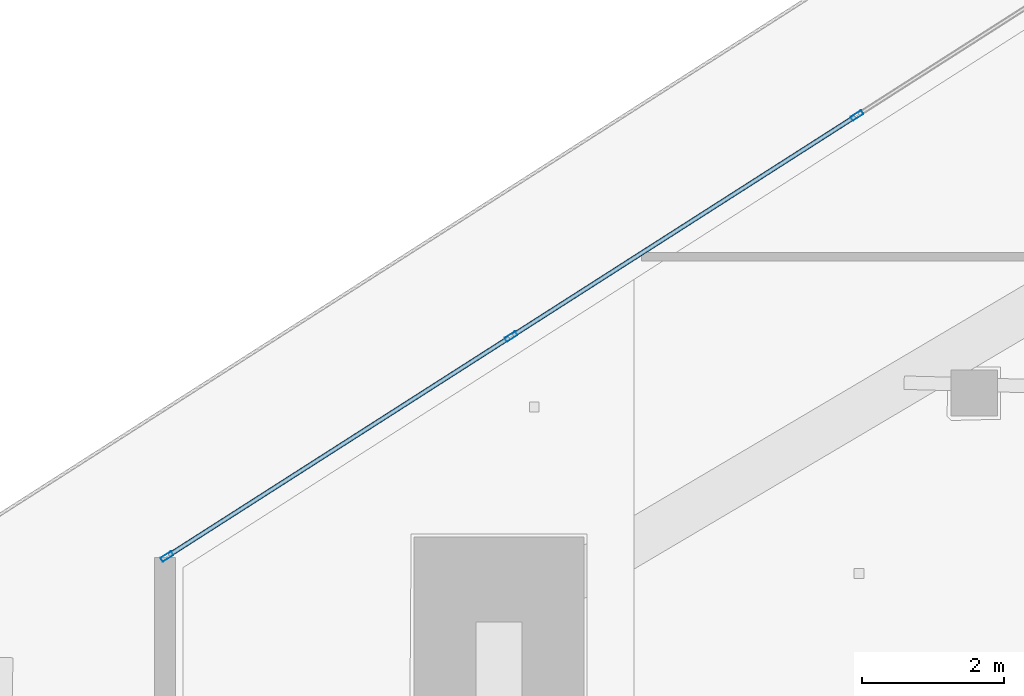
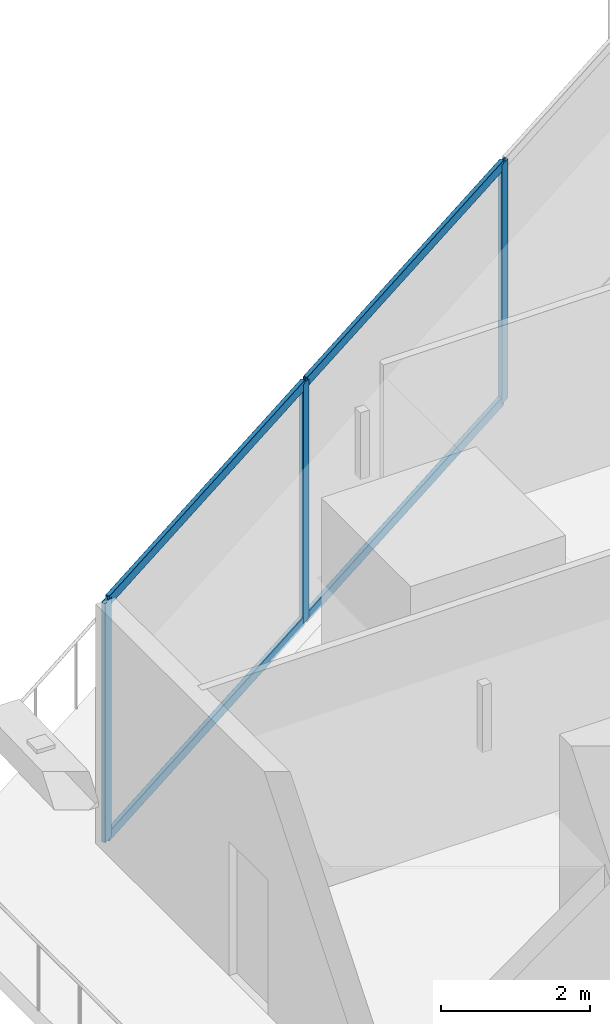
# One storey, part 12 of 44: 7 members, 1 element without a shape of its own.
"""IFC4 building model written with IfcOpenShell, lengths in metres."""

from ifc_helpers import new_model, si_unit, direction, frame, origin, origin_2d, place, context, subcontext, project, spatial, hollow_rectangle, extrude, material, layer, layer_set, material_profile, profile_set, type_object, element, aggregate, save


model = new_model("IFC4")

# Units and contexts
model_context = context("Model", 3, precision=1e-05, world=origin(), true_north=direction((0.0, 1.0)))
body_context = subcontext(model_context, "Body", "Model", "MODEL_VIEW")
ifc_project = project(units=[si_unit("LENGTHUNIT", "METRE"), si_unit("AREAUNIT", "SQUARE_METRE"), si_unit("VOLUMEUNIT", "CUBIC_METRE"), si_unit("PLANEANGLEUNIT", "RADIAN"), si_unit("MASSUNIT", "GRAM", prefix="KILO")], contexts=[model_context])

# Site, building, storey
site_placement = place(None, origin())
site = spatial("IfcSite", under=ifc_project, at=site_placement, CompositionType="ELEMENT")
building_placement = place(site_placement, origin())
building = spatial("IfcBuilding", under=site, at=building_placement, Name="Qorvath Tower", CompositionType="ELEMENT")
storey_placement = place(building_placement, frame((0.0, 0.0, 57.60009765625)))
storey = spatial("IfcBuildingStorey", under=building, at=storey_placement, Name="L12", CompositionType="ELEMENT", Elevation=57.60009765625)

# Curtain wall, members
ifc_material_1 = material(Name="Anodised aluminium and triple low-E glass", Category="aluminium")
ifc_layer = layer(ifc_material_1, 0.179931640625)
ifc_layer_set = layer_set([ifc_layer], Name="CW-SYS-2")
curtain_wall_type = type_object("IfcCurtainWallType", Name="CW-SYS-2", PredefinedType="NOTDEFINED", material=ifc_layer_set)
curtain_wall_placement = place(storey_placement, origin())
curtain_wall = element("IfcCurtainWall", 1, at=curtain_wall_placement, inside=storey, type_object=curtain_wall_type, Name="Curtain Wall CW-2 CW-T-L12-16.3", PredefinedType="NOTDEFINED")
ifc_material_2 = material(Name="Anodised aluminium 6063-T6", Category="aluminium")
ifc_material_profile_1 = material_profile(ifc_material_2, hollow_rectangle(XDim=0.06494140625, YDim=0.179931640625, WallThickness=0.00341796875, InnerFilletRadius=0.00341796875, OuterFilletRadius=0.007080078125, at=origin_2d()), Name="CWM 180x65")
ifc_profile_set_1 = profile_set([ifc_material_profile_1], Name="Anodised aluminium 6063-T6")
member_type_1 = type_object("IfcMemberType", Name="CWM-180", PredefinedType="MULLION", material=ifc_profile_set_1)
member_1_placement = place(storey_placement, frame((-50.233154296875, 10.344482421875, 0.0), z_axis=(0.0, 0.0, 1.0), x_axis=(0.53852960651, -0.842606588458, 0.0)))
member_1 = element("IfcMember", 2, at=member_1_placement, type_object=member_type_1, Name="CW-2 mullion 3", PredefinedType="MULLION", context=body_context, shape_type="SweptSolid", body=[
    extrude(hollow_rectangle(XDim=0.06494140625, YDim=0.179931640625, WallThickness=0.00341796875, InnerFilletRadius=0.00341796875, OuterFilletRadius=0.007080078125, at=origin_2d()), origin(), (0.0, 0.0, 1.0), 3.919921875),
])
member_2_placement = place(storey_placement, frame((-55.11572265625, 7.223876953125, 0.0), z_axis=(0.0, 0.0, 1.0), x_axis=(0.53852960651, -0.842606588458, 0.0)))
member_2 = element("IfcMember", 3, at=member_2_placement, type_object=member_type_1, Name="CW-2 mullion 4", PredefinedType="MULLION", context=body_context, shape_type="SweptSolid", body=[
    extrude(hollow_rectangle(XDim=0.06494140625, YDim=0.179931640625, WallThickness=0.00341796875, InnerFilletRadius=0.00341796875, OuterFilletRadius=0.007080078125, at=origin_2d()), origin(), (0.0, 0.0, 1.0), 3.919921875),
])
member_3_placement = place(storey_placement, frame((-59.970947265625, 4.120849609375, 0.0), z_axis=(0.0, 0.0, 1.0), x_axis=(0.53852960651, -0.842606588458, 0.0)))
member_3 = element("IfcMember", 4, at=member_3_placement, type_object=member_type_1, Name="CW-2 mullion 5", PredefinedType="MULLION", context=body_context, shape_type="SweptSolid", body=[
    extrude(hollow_rectangle(XDim=0.06494140625, YDim=0.179931640625, WallThickness=0.00341796875, InnerFilletRadius=0.00341796875, OuterFilletRadius=0.007080078125, at=origin_2d()), origin(), (0.0, 0.0, 1.0), 3.919921875),
])
ifc_material_3 = material(Name="Anodised aluminium 6063-T6", Category="aluminium")
ifc_material_profile_2 = material_profile(ifc_material_3, hollow_rectangle(XDim=0.06494140625, YDim=0.159912109375, WallThickness=0.00341796875, InnerFilletRadius=0.00341796875, OuterFilletRadius=0.007080078125, at=origin_2d()), Name="CWT 160x65")
ifc_profile_set_2 = profile_set([ifc_material_profile_2], Name="Anodised aluminium 6063-T6")
member_type_2 = type_object("IfcMemberType", Name="CWT-160", PredefinedType="USERDEFINED", material=ifc_profile_set_2)
member_4_placement = place(storey_placement, frame((-50.260498046875, 10.326904296875, 0.032470703125), z_axis=(-0.842619459237, -0.538509467805, 0.0), x_axis=(0.538509467805, -0.842619459237, 0.0)))
member_4 = element("IfcMember", 5, at=member_4_placement, type_object=member_type_2, Name="CW-2 transom 3.1", ObjectType="TRANSOM", PredefinedType="USERDEFINED", context=body_context, shape_type="SweptSolid", body=[
    extrude(hollow_rectangle(XDim=0.06494140625, YDim=0.159912109375, WallThickness=0.00341796875, InnerFilletRadius=0.00341796875, OuterFilletRadius=0.007080078125, at=origin_2d()), origin(), (0.0, 0.0, 1.0), 5.7294921875),
])
member_5_placement = place(storey_placement, frame((-50.260498046875, 10.326904296875, 3.887451171875), z_axis=(-0.842619459237, -0.538509467805, 0.0), x_axis=(0.538509467805, -0.842619459237, 0.0)))
member_5 = element("IfcMember", 6, at=member_5_placement, type_object=member_type_2, Name="CW-2 transom 3.2", ObjectType="TRANSOM", PredefinedType="USERDEFINED", context=body_context, shape_type="SweptSolid", body=[
    extrude(hollow_rectangle(XDim=0.06494140625, YDim=0.159912109375, WallThickness=0.00341796875, InnerFilletRadius=0.00341796875, OuterFilletRadius=0.007080078125, at=origin_2d()), origin(), (0.0, 0.0, 1.0), 5.7294921875),
])
member_6_placement = place(storey_placement, frame((-55.14306640625, 7.206298828125, 0.032470703125), z_axis=(-0.842608218997, -0.538527055289, 0.0), x_axis=(0.538527055289, -0.842608218997, 0.0)))
member_6 = element("IfcMember", 7, at=member_6_placement, type_object=member_type_2, Name="CW-2 transom 4.1", ObjectType="TRANSOM", PredefinedType="USERDEFINED", context=body_context, shape_type="SweptSolid", body=[
    extrude(hollow_rectangle(XDim=0.06494140625, YDim=0.159912109375, WallThickness=0.00341796875, InnerFilletRadius=0.00341796875, OuterFilletRadius=0.007080078125, at=origin_2d()), origin(), (0.0, 0.0, 1.0), 5.697265625),
])
member_7_placement = place(storey_placement, frame((-55.14306640625, 7.206298828125, 3.887451171875), z_axis=(-0.842608218997, -0.538527055289, 0.0), x_axis=(0.538527055289, -0.842608218997, 0.0)))
member_7 = element("IfcMember", 8, at=member_7_placement, type_object=member_type_2, Name="CW-2 transom 4.2", ObjectType="TRANSOM", PredefinedType="USERDEFINED", context=body_context, shape_type="SweptSolid", body=[
    extrude(hollow_rectangle(XDim=0.06494140625, YDim=0.159912109375, WallThickness=0.00341796875, InnerFilletRadius=0.00341796875, OuterFilletRadius=0.007080078125, at=origin_2d()), origin(), (0.0, 0.0, 1.0), 5.697265625),
])
aggregate(curtain_wall, [member_1, member_2, member_3, member_4, member_5, member_6, member_7])

save(model, "model.ifc")
